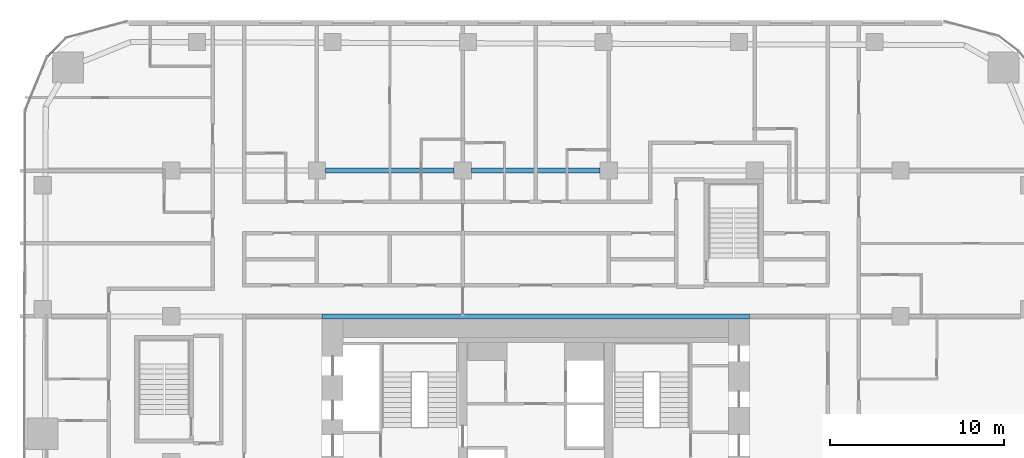
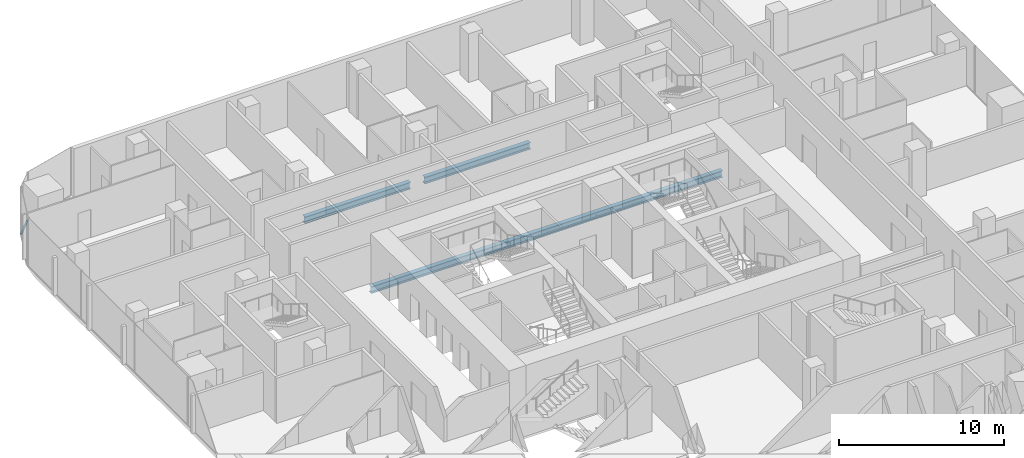
# One storey, part 9 of 26: 3 beams, 1 member, 1 element without a shape of its own.
"""IFC4 building model written with IfcOpenShell, lengths in metres."""

from ifc_helpers import new_model, si_unit, direction, frame, origin, origin_2d, place, context, subcontext, project, spatial, rectangle, i_section, extrude, material, layer, layer_set, material_profile, profile_set, type_object, element, aggregate, save


model = new_model("IFC4")

# Units and contexts
model_context = context("Model", 3, precision=1e-05, world=origin(), true_north=direction((0.0, 1.0)))
body_context = subcontext(model_context, "Body", "Model", "MODEL_VIEW")
ifc_project = project(units=[si_unit("LENGTHUNIT", "METRE"), si_unit("AREAUNIT", "SQUARE_METRE"), si_unit("VOLUMEUNIT", "CUBIC_METRE"), si_unit("PLANEANGLEUNIT", "RADIAN"), si_unit("MASSUNIT", "GRAM", prefix="KILO")], contexts=[model_context])

# Site, building, storey
site_placement = place(None, origin())
site = spatial("IfcSite", under=ifc_project, at=site_placement, CompositionType="ELEMENT")
building_placement = place(site_placement, origin())
building = spatial("IfcBuilding", under=site, at=building_placement, Name="Marenta Gate Hotel Tower", CompositionType="ELEMENT")
storey_placement = place(building_placement, frame((0.0, 0.0, 72.5)))
storey = spatial("IfcBuildingStorey", under=building, at=storey_placement, Name="L16", CompositionType="ELEMENT", Elevation=72.5)

# Beams
ifc_material_1 = material(Name="Steel S355", Category="steel")
ifc_material_profile_1 = material_profile(ifc_material_1, i_section(OverallWidth=0.300048828125, OverallDepth=0.5, WebThickness=0.014404296875, FlangeThickness=0.028076171875, FilletRadius=0.027099609375, at=origin_2d()), Name="HEB 500")
ifc_profile_set_1 = profile_set([ifc_material_profile_1], Name="Steel S355")
beam_type = type_object("IfcBeamType", Name="Girder HEB 500", PredefinedType="BEAM", material=ifc_profile_set_1)
beam_1_placement = place(storey_placement, frame((-12.300048828125, 16.800048828125, -0.510009765625), z_axis=(1.0, 0.0, 0.0), x_axis=(0.0, 1.0, 0.0)))
element("IfcBeam", 1, at=beam_1_placement, inside=storey, type_object=beam_type, Name="L16-GD-19", PredefinedType="BEAM", context=body_context, shape_type="SweptSolid", body=[
    extrude(i_section(OverallWidth=0.300048828125, OverallDepth=0.5, WebThickness=0.014404296875, FlangeThickness=0.028076171875, FilletRadius=0.027099609375, at=origin_2d()), origin(), (0.0, 0.0, 1.0), 24.60009765625),
])
beam_2_placement = place(storey_placement, frame((-12.10009765625, 25.199951171875, -0.510009765625), z_axis=(1.0, 0.0, 0.0), x_axis=(0.0, 1.0, 0.0)))
element("IfcBeam", 2, at=beam_2_placement, inside=storey, type_object=beam_type, Name="L16-GD-24", PredefinedType="BEAM", context=body_context, shape_type="SweptSolid", body=[
    extrude(i_section(OverallWidth=0.300048828125, OverallDepth=0.5, WebThickness=0.014404296875, FlangeThickness=0.028076171875, FilletRadius=0.027099609375, at=origin_2d()), origin(), (0.0, 0.0, 1.0), 7.400146484375),
])
beam_3_placement = place(storey_placement, frame((-3.699951171875, 25.199951171875, -0.510009765625), z_axis=(1.0, 0.0, 0.0), x_axis=(0.0, 1.0, 0.0)))
element("IfcBeam", 3, at=beam_3_placement, inside=storey, type_object=beam_type, Name="L16-GD-25", PredefinedType="BEAM", context=body_context, shape_type="SweptSolid", body=[
    extrude(i_section(OverallWidth=0.300048828125, OverallDepth=0.5, WebThickness=0.014404296875, FlangeThickness=0.028076171875, FilletRadius=0.027099609375, at=origin_2d()), origin(), (0.0, 0.0, 1.0), 7.39990234375),
])

# Curtain wall, member
ifc_material_2 = material(Name="Tinted insulated glass in bronze anodised frame", Category="glass")
ifc_layer = layer(ifc_material_2, 0.1201171875)
ifc_layer_set = layer_set([ifc_layer], Name="Tinted insulated glass in bronze anodised frame")
curtain_wall_type = type_object("IfcCurtainWallType", Name="Tower unitised curtain wall CW1", PredefinedType="NOTDEFINED", material=ifc_layer_set)
curtain_wall_placement = place(storey_placement, origin())
curtain_wall = element("IfcCurtainWall", 4, at=curtain_wall_placement, inside=storey, type_object=curtain_wall_type, Name="CW1 run G01", PredefinedType="NOTDEFINED")
ifc_material_3 = material(Name="Bronze anodised aluminium", Category="aluminium")
ifc_material_profile_2 = material_profile(ifc_material_3, rectangle(XDim=0.1201171875, YDim=0.06005859375, at=origin_2d()), Name="Transom CW1 60x120 bronze anodised aluminium")
ifc_profile_set_2 = profile_set([ifc_material_profile_2], Name="Bronze anodised aluminium")
member_type = type_object("IfcMemberType", Name="Transom CW1 60x120 bronze anodised aluminium", PredefinedType="USERDEFINED", material=ifc_profile_set_2)
member_placement = place(storey_placement, frame((-27.082275390625, 32.80859375, 0.030029296875), z_axis=(-0.707106781187, -0.707106781187, 0.0), x_axis=(0.707106781187, -0.707106781187, 0.0)))
member = element("IfcMember", 5, at=member_placement, type_object=member_type, Name="CW1 transom 1.1", ObjectType="TRANSOM", PredefinedType="USERDEFINED", context=body_context, shape_type="SweptSolid", body=[
    extrude(rectangle(XDim=0.1201171875, YDim=0.06005859375, at=origin_2d()), origin(), (0.0, 0.0, 1.0), 1.48291015625),
])
aggregate(curtain_wall, [member])

save(model, "model.ifc")
